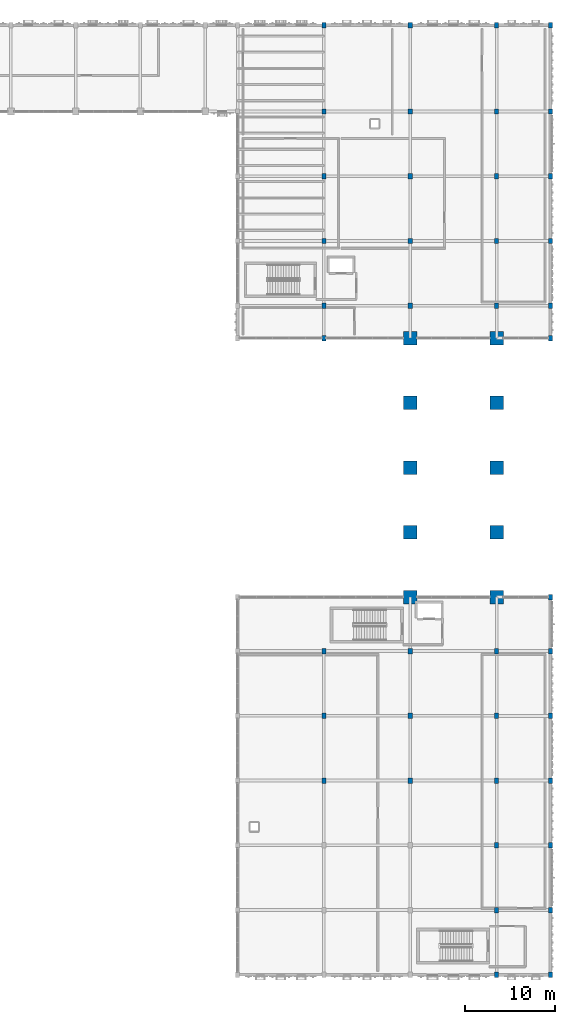
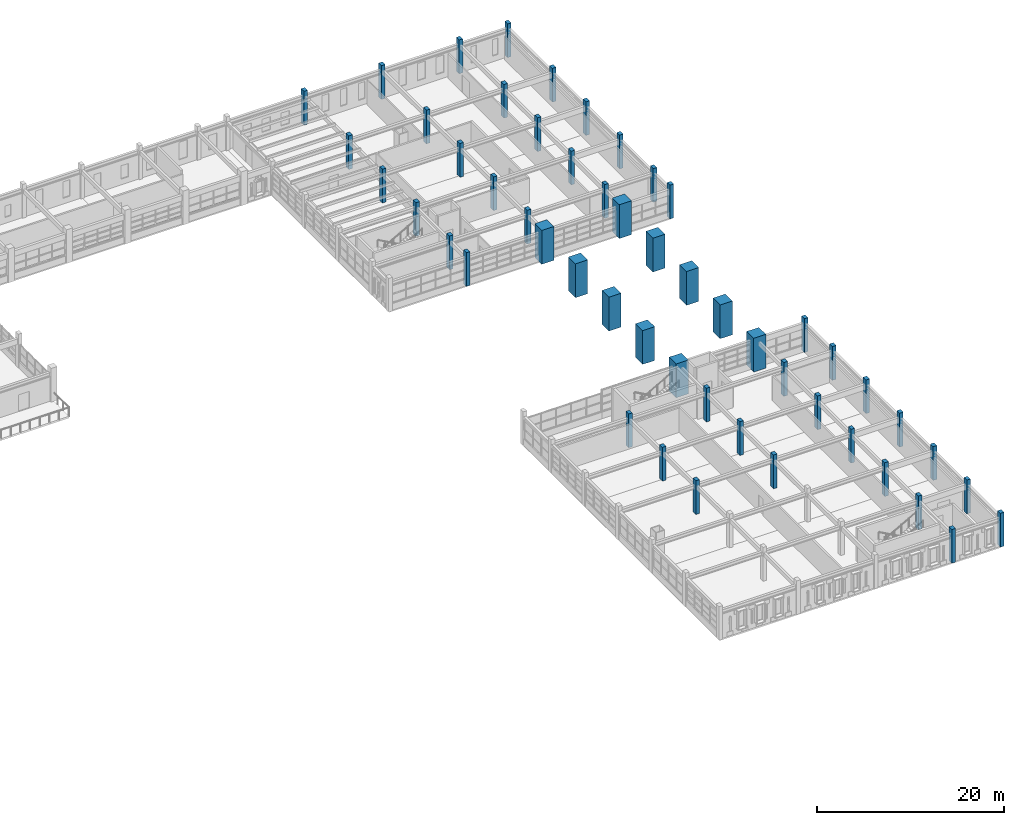
# One storey, part 2 of 69: 51 columns.
"""IFC4 building model written with IfcOpenShell, lengths in metres."""

from ifc_helpers import new_model, si_unit, direction, frame, origin, origin_2d, place, context, subcontext, project, spatial, rectangle, extrude, material, material_profile, profile_set, type_object, element, save


model = new_model("IFC4")

# Units and contexts
model_context = context("Model", 3, precision=1e-05, world=origin(), true_north=direction((0.0, 1.0)))
body_context = subcontext(model_context, "Body", "Model", "MODEL_VIEW")
ifc_project = project(units=[si_unit("LENGTHUNIT", "METRE"), si_unit("AREAUNIT", "SQUARE_METRE"), si_unit("VOLUMEUNIT", "CUBIC_METRE"), si_unit("PLANEANGLEUNIT", "RADIAN"), si_unit("MASSUNIT", "GRAM", prefix="KILO")], contexts=[model_context])

# Site, building, storey
site_placement = place(None, origin())
site = spatial("IfcSite", under=ifc_project, at=site_placement, CompositionType="ELEMENT")
building_placement = place(site_placement, origin())
building = spatial("IfcBuilding", under=site, at=building_placement, Name="Nzembalo Square Collegiate School", CompositionType="ELEMENT")
storey_placement = place(building_placement, frame((0.0, 0.0, 5.10009765625)))
storey = spatial("IfcBuildingStorey", under=building, at=storey_placement, Name="L01", CompositionType="ELEMENT", Elevation=5.10009765625)

# Columns
ifc_material_1 = material(Name="Concrete C40/50", Category="concrete")
ifc_material_profile_1 = material_profile(ifc_material_1, rectangle(XDim=1.5, YDim=1.5, at=origin_2d()), Name="RC 1500x1500")
ifc_profile_set_1 = profile_set([ifc_material_profile_1], Name="Concrete C40/50")
column_type_1 = type_object("IfcColumnType", Name="C01", PredefinedType="COLUMN", material=ifc_profile_set_1)
for number, where, z_axis, x_axis, name in (
    (1, (150.0, 50.39990234375, 0.0), (0.0, 0.0, 1.0), (1.0, 0.0, 0.0), "Column C01 L01 22/H"),
    (2, (150.0, 57.60009765625, 0.0), (0.0, 0.0, 1.0), (1.0, 0.0, 0.0), "Column C01 L01 22/I"),
    (3, (150.0, 64.800048828125, 0.0), (0.0, 0.0, 1.0), (1.0, 0.0, 0.0), "Column C01 L01 22/J"),
    (4, (150.0, 72.0, 0.0), (0.0, 0.0, 1.0), (1.0, 0.0, 0.0), "Column C01 L01 22/K"),
    (5, (150.0, 79.199951171875, 0.0), (0.0, 0.0, 1.0), (1.0, 0.0, 0.0), "Column C01 L01 22/L"),
    (6, (159.60009765625, 50.39990234375, 0.0), (0.0, 0.0, 1.0), (1.0, 0.0, 0.0), "Column C01 L01 23/H"),
    (7, (159.60009765625, 57.60009765625, 0.0), (0.0, 0.0, 1.0), (1.0, 0.0, 0.0), "Column C01 L01 23/I"),
    (8, (159.60009765625, 64.800048828125, 0.0), (0.0, 0.0, 1.0), (1.0, 0.0, 0.0), "Column C01 L01 23/J"),
    (9, (159.60009765625, 72.0, 0.0), (0.0, 0.0, 1.0), (1.0, 0.0, 0.0), "Column C01 L01 23/K"),
    (10, (159.60009765625, 79.199951171875, 0.0), (0.0, 0.0, 1.0), (1.0, 0.0, 0.0), "Column C01 L01 23/L"),
):
    element("IfcColumn", number, at=place(storey_placement, frame(where, z_axis=z_axis, x_axis=x_axis)), inside=storey, type_object=column_type_1, Name=name, PredefinedType="COLUMN", context=body_context, shape_type="SweptSolid", body=[
        extrude(rectangle(XDim=1.5, YDim=1.5, at=origin_2d()), origin(), (0.0, 0.0, 1.0), 4.419921875),
    ])
ifc_material_2 = material(Name="Concrete C35/45", Category="concrete")
ifc_material_profile_2 = material_profile(ifc_material_2, rectangle(XDim=0.449951171875, YDim=0.60009765625, at=origin_2d()), Name="RC 450x600")
ifc_profile_set_2 = profile_set([ifc_material_profile_2], Name="Concrete C35/45")
column_type_2 = type_object("IfcColumnType", Name="C04", PredefinedType="COLUMN", material=ifc_profile_set_2)
for number, where, z_axis, x_axis, name in (
    (11, (140.39990234375, 30.0, 0.0), (0.0, 0.0, 1.0), (1.0, 0.0, 0.0), "Column C04 L01 21/E"),
    (12, (140.39990234375, 37.199951171875, 0.0), (0.0, 0.0, 1.0), (1.0, 0.0, 0.0), "Column C04 L01 21/F"),
    (13, (140.39990234375, 44.39990234375, 0.0), (0.0, 0.0, 1.0), (1.0, 0.0, 0.0), "Column C04 L01 21/G"),
    (14, (140.39990234375, 79.199951171875, 0.0), (0.0, 0.0, 1.0), (1.0, 0.0, 0.0), "Column C04 L01 21/L"),
    (15, (140.39990234375, 82.800048828125, 0.0), (0.0, 0.0, 1.0), (1.0, 0.0, 0.0), "Column C04 L01 21/M"),
    (16, (140.39990234375, 90.0, 0.0), (0.0, 0.0, 1.0), (1.0, 0.0, 0.0), "Column C04 L01 21/N"),
    (17, (140.39990234375, 97.199951171875, 0.0), (0.0, 0.0, 1.0), (1.0, 0.0, 0.0), "Column C04 L01 21/O"),
    (18, (140.39990234375, 104.39990234375, 0.0), (0.0, 0.0, 1.0), (1.0, 0.0, 0.0), "Column C04 L01 21/P"),
    (19, (140.39990234375, 114.0, 0.0), (0.0, 0.0, 1.0), (1.0, 0.0, 0.0), "Column C04 L01 21/Q"),
    (20, (150.0, 30.0, 0.0), (0.0, 0.0, 1.0), (1.0, 0.0, 0.0), "Column C04 L01 22/E"),
    (21, (150.0, 37.199951171875, 0.0), (0.0, 0.0, 1.0), (1.0, 0.0, 0.0), "Column C04 L01 22/F"),
    (22, (150.0, 44.39990234375, 0.0), (0.0, 0.0, 1.0), (1.0, 0.0, 0.0), "Column C04 L01 22/G"),
    (23, (150.0, 82.800048828125, 0.0), (0.0, 0.0, 1.0), (1.0, 0.0, 0.0), "Column C04 L01 22/M"),
    (24, (150.0, 90.0, 0.0), (0.0, 0.0, 1.0), (1.0, 0.0, 0.0), "Column C04 L01 22/N"),
    (25, (150.0, 97.199951171875, 0.0), (0.0, 0.0, 1.0), (1.0, 0.0, 0.0), "Column C04 L01 22/O"),
    (26, (150.0, 104.39990234375, 0.0), (0.0, 0.0, 1.0), (1.0, 0.0, 0.0), "Column C04 L01 22/P"),
    (27, (150.0, 114.0, 0.0), (0.0, 0.0, 1.0), (1.0, 0.0, 0.0), "Column C04 L01 22/Q"),
    (28, (159.60009765625, 8.39990234375, 0.0), (0.0, 0.0, 1.0), (1.0, 0.0, 0.0), "Column C04 L01 23/B"),
    (29, (159.60009765625, 15.60009765625, 0.0), (0.0, 0.0, 1.0), (1.0, 0.0, 0.0), "Column C04 L01 23/C"),
    (30, (159.60009765625, 22.800048828125, 0.0), (0.0, 0.0, 1.0), (1.0, 0.0, 0.0), "Column C04 L01 23/D"),
    (31, (159.60009765625, 30.0, 0.0), (0.0, 0.0, 1.0), (1.0, 0.0, 0.0), "Column C04 L01 23/E"),
    (32, (159.60009765625, 37.199951171875, 0.0), (0.0, 0.0, 1.0), (1.0, 0.0, 0.0), "Column C04 L01 23/F"),
    (33, (159.60009765625, 44.39990234375, 0.0), (0.0, 0.0, 1.0), (1.0, 0.0, 0.0), "Column C04 L01 23/G"),
    (34, (159.60009765625, 82.800048828125, 0.0), (0.0, 0.0, 1.0), (1.0, 0.0, 0.0), "Column C04 L01 23/M"),
    (35, (159.60009765625, 90.0, 0.0), (0.0, 0.0, 1.0), (1.0, 0.0, 0.0), "Column C04 L01 23/N"),
    (36, (159.60009765625, 97.199951171875, 0.0), (0.0, 0.0, 1.0), (1.0, 0.0, 0.0), "Column C04 L01 23/O"),
    (37, (159.60009765625, 104.39990234375, 0.0), (0.0, 0.0, 1.0), (1.0, 0.0, 0.0), "Column C04 L01 23/P"),
    (38, (159.60009765625, 114.0, 0.0), (0.0, 0.0, 1.0), (1.0, 0.0, 0.0), "Column C04 L01 23/Q"),
    (39, (165.60009765625, 8.39990234375, 0.0), (0.0, 0.0, 1.0), (1.0, 0.0, 0.0), "Column C04 L01 24/B"),
    (40, (165.60009765625, 15.60009765625, 0.0), (0.0, 0.0, 1.0), (1.0, 0.0, 0.0), "Column C04 L01 24/C"),
    (41, (165.60009765625, 22.800048828125, 0.0), (0.0, 0.0, 1.0), (1.0, 0.0, 0.0), "Column C04 L01 24/D"),
    (42, (165.60009765625, 30.0, 0.0), (0.0, 0.0, 1.0), (1.0, 0.0, 0.0), "Column C04 L01 24/E"),
    (43, (165.60009765625, 37.199951171875, 0.0), (0.0, 0.0, 1.0), (1.0, 0.0, 0.0), "Column C04 L01 24/F"),
    (44, (165.60009765625, 44.39990234375, 0.0), (0.0, 0.0, 1.0), (1.0, 0.0, 0.0), "Column C04 L01 24/G"),
    (45, (165.60009765625, 50.39990234375, 0.0), (0.0, 0.0, 1.0), (1.0, 0.0, 0.0), "Column C04 L01 24/H"),
    (46, (165.60009765625, 79.199951171875, 0.0), (0.0, 0.0, 1.0), (1.0, 0.0, 0.0), "Column C04 L01 24/L"),
    (47, (165.60009765625, 82.800048828125, 0.0), (0.0, 0.0, 1.0), (1.0, 0.0, 0.0), "Column C04 L01 24/M"),
    (48, (165.60009765625, 90.0, 0.0), (0.0, 0.0, 1.0), (1.0, 0.0, 0.0), "Column C04 L01 24/N"),
    (49, (165.60009765625, 97.199951171875, 0.0), (0.0, 0.0, 1.0), (1.0, 0.0, 0.0), "Column C04 L01 24/O"),
    (50, (165.60009765625, 104.39990234375, 0.0), (0.0, 0.0, 1.0), (1.0, 0.0, 0.0), "Column C04 L01 24/P"),
    (51, (165.60009765625, 114.0, 0.0), (0.0, 0.0, 1.0), (1.0, 0.0, 0.0), "Column C04 L01 24/Q"),
):
    element("IfcColumn", number, at=place(storey_placement, frame(where, z_axis=z_axis, x_axis=x_axis)), inside=storey, type_object=column_type_2, Name=name, PredefinedType="COLUMN", context=body_context, shape_type="SweptSolid", body=[
        extrude(rectangle(XDim=0.449951171875, YDim=0.60009765625, at=origin_2d()), origin(), (0.0, 0.0, 1.0), 4.419921875),
    ])

save(model, "model.ifc")
